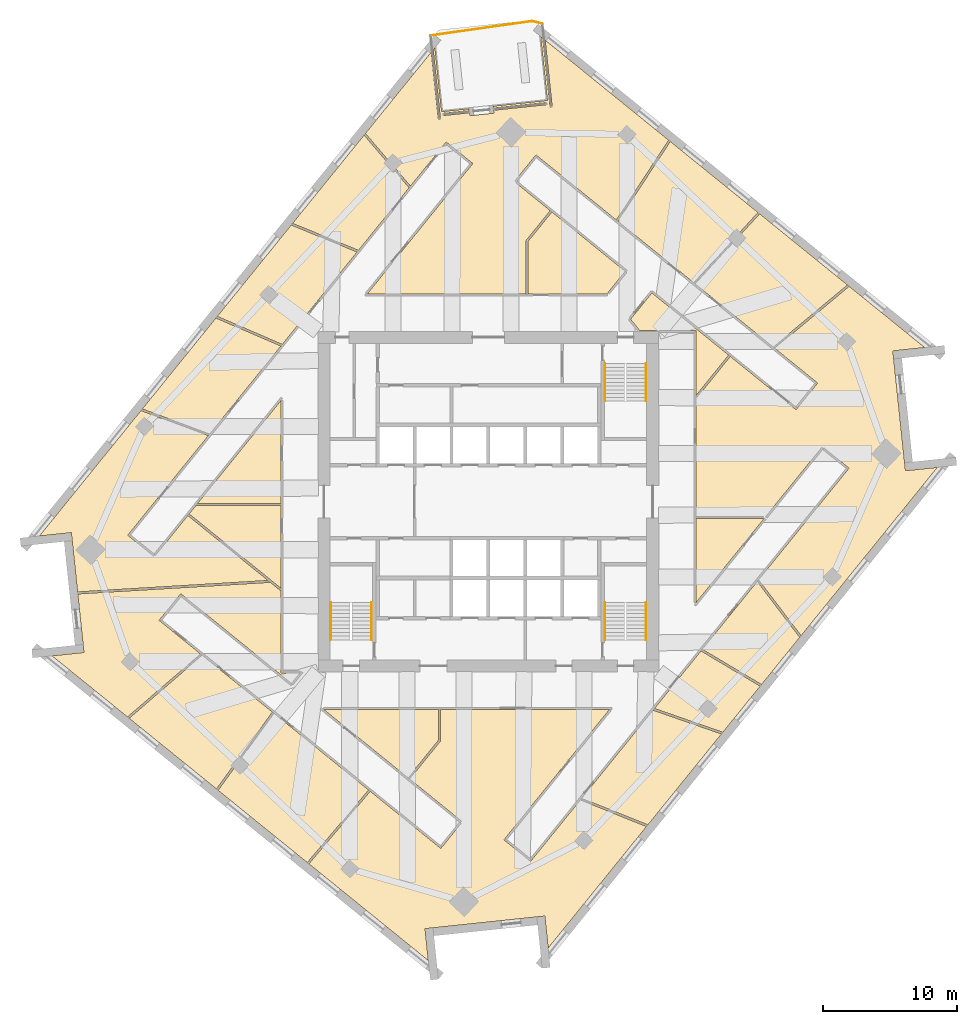
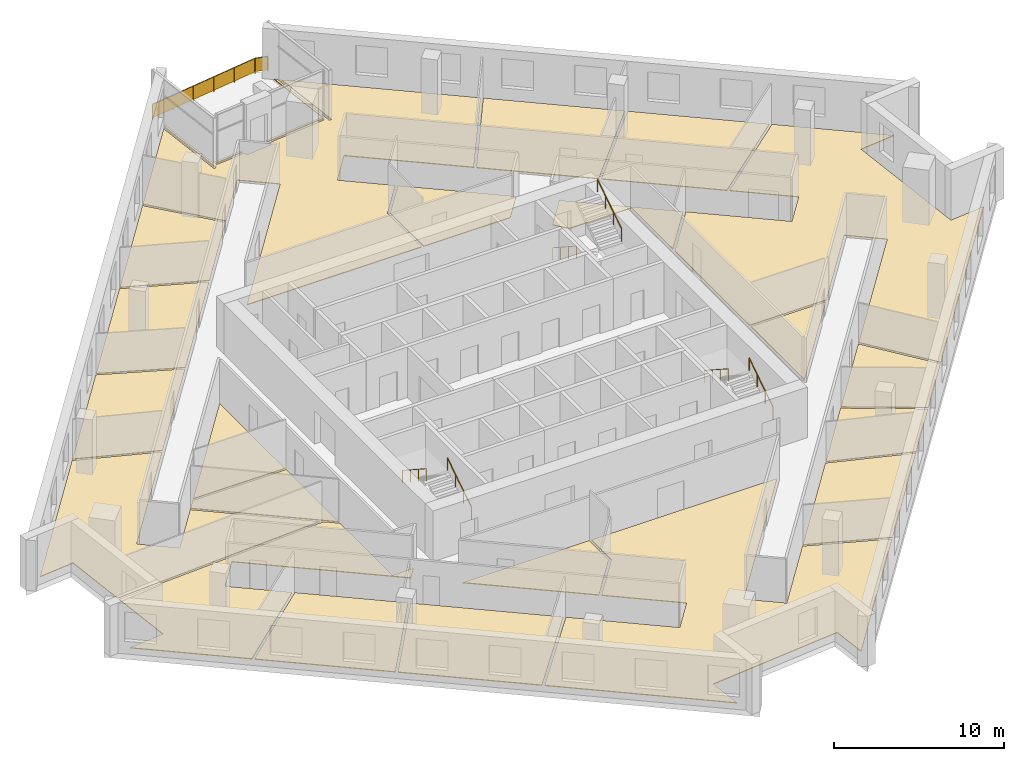
# One storey, part 13 of 14: 21 coverings, 7 railings.
"""IFC4 building model written with IfcOpenShell, lengths in metres."""

from ifc_helpers import new_model, si_unit, direction, frame, origin, origin_2d, place, context, subcontext, project, spatial, polyline, rectangle, circle, outline, extrude, material, layer, layer_set, type_object, element, save


model = new_model("IFC4")

# Units and contexts
model_context = context("Model", 3, precision=1e-05, world=origin(), true_north=direction((0.0, 1.0)))
body_context = subcontext(model_context, "Body", "Model", "MODEL_VIEW")
ifc_project = project(units=[si_unit("LENGTHUNIT", "METRE"), si_unit("AREAUNIT", "SQUARE_METRE"), si_unit("VOLUMEUNIT", "CUBIC_METRE"), si_unit("PLANEANGLEUNIT", "RADIAN"), si_unit("MASSUNIT", "GRAM", prefix="KILO")], contexts=[model_context])

# Site, building, storey
site_placement = place(None, origin())
site = spatial("IfcSite", under=ifc_project, at=site_placement, CompositionType="ELEMENT")
building_placement = place(site_placement, origin())
building = spatial("IfcBuilding", under=site, at=building_placement, Name="Dilmun Exchange Tower", CompositionType="ELEMENT")
storey_placement = place(building_placement, frame((0.0, 0.0, 225.300048828125)))
storey = spatial("IfcBuildingStorey", under=building, at=storey_placement, Name="L53", CompositionType="ELEMENT", Elevation=225.300048828125)

# Coverings
ifc_material_1 = material(Name="Carpet floor finish 50")
ifc_layer_1 = layer(ifc_material_1, 0.050048828125)
ifc_layer_set_1 = layer_set([ifc_layer_1], Name="Carpet floor finish 50")
covering_type_1 = type_object("IfcCoveringType", Name="Carpet floor finish 50", PredefinedType="FLOORING", material=ifc_layer_set_1)
covering_1_placement = place(storey_placement, origin())
element("IfcCovering", 1, at=covering_1_placement, inside=storey, type_object=covering_type_1, Name="Carpet floor finish 50 Business centre 1", PredefinedType="FLOORING", context=body_context, shape_type="SweptSolid", body=[
    extrude(outline(polyline([(-22.40185546875, -1.026611328125), (-16.419189453125, -5.871337890625), (-30.6181640625, -6.72509765625), (-31.01953125, -2.905029296875), (-31.01953125, -2.90478515625), (-31.01953125, -2.90478515625), (-31.08251953125, -2.30810546875), (-31.08251953125, -2.307861328125), (-31.08251953125, -2.3076171875), (-31.08251953125, -2.3076171875), (-31.08251953125, -2.307373046875), (-31.082763671875, -2.30712890625), (-31.082763671875, -2.306884765625), (-31.0830078125, -2.306884765625), (-31.0830078125, -2.306640625), (-31.083251953125, -2.306640625), (-31.08349609375, -2.306396484375), (-31.08349609375, -2.306396484375), (-31.083740234375, -2.306396484375), (-31.083984375, -2.306396484375), (-31.084228515625, -2.306396484375), (-31.08447265625, -2.30615234375), (-31.084716796875, -2.306396484375), (-33.464599609375, -2.556396484375), (-25.89453125, 6.791748046875), (-20.8671875, 4.920654296875), (-26.87451171875, -2.497802734375), (-24.892822265625, -4.102783203125), (-22.40185546875, -1.026611328125)])), origin(), (0.0, 0.0, 1.0), 0.050048828125),
])
covering_2_placement = place(storey_placement, origin())
element("IfcCovering", 2, at=covering_2_placement, inside=storey, type_object=covering_type_1, Name="Carpet floor finish 50 Club dining room", PredefinedType="FLOORING", context=body_context, shape_type="SweptSolid", body=[
    extrude(outline(polyline([(-16.24658203125, -6.01123046875), (-15.47509765625, -6.635986328125), (-15.47509765625, -12.774658203125), (-14.048095703125, -12.77490234375), (-14.674072265625, -13.548095703125), (-22.93310546875, -6.860107421875), (-24.53759765625, -8.841796875), (-21.4453125, -11.34619140625), (-26.896240234375, -16.048095703125), (-32.525634765625, -11.489501953125), (-30.1455078125, -11.2392578125), (-30.1455078125, -11.2392578125), (-30.145263671875, -11.2392578125), (-30.14501953125, -11.239013671875), (-30.14501953125, -11.239013671875), (-30.144775390625, -11.239013671875), (-30.14453125, -11.23876953125), (-30.144287109375, -11.23876953125), (-30.144287109375, -11.238525390625), (-30.144287109375, -11.23828125), (-30.14404296875, -11.23828125), (-30.14404296875, -11.238037109375), (-30.143798828125, -11.23779296875), (-30.143798828125, -11.237548828125), (-30.143798828125, -11.2373046875), (-30.143798828125, -11.2373046875), (-30.143798828125, -11.237060546875), (-30.20654296875, -10.640625), (-30.20654296875, -10.640380859375), (-30.20654296875, -10.640380859375), (-30.602294921875, -6.87451171875), (-16.24658203125, -6.01123046875)])), origin(), (0.0, 0.0, 1.0), 0.050048828125),
])
covering_3_placement = place(storey_placement, origin())
element("IfcCovering", 3, at=covering_3_placement, inside=storey, type_object=covering_type_1, Name="Carpet floor finish 50 Serviced office 1", PredefinedType="FLOORING", context=body_context, shape_type="SweptSolid", body=[
    extrude(outline(polyline([(-20.2666015625, -21.41650390625), (-26.77783203125, -16.143798828125), (-21.32666015625, -11.44189453125), (-16.093505859375, -15.679931640625), (-20.2666015625, -21.41650390625)])), origin(), (0.0, 0.0, 1.0), 0.050048828125),
])
covering_4_placement = place(storey_placement, origin())
element("IfcCovering", 4, at=covering_4_placement, inside=storey, type_object=covering_type_1, Name="Carpet floor finish 50 Serviced office 2", PredefinedType="FLOORING", context=body_context, shape_type="SweptSolid", body=[
    extrude(outline(polyline([(-20.767578125, 5.043701171875), (-25.794921875, 6.914794921875), (-20.307861328125, 13.69091796875), (-15.459228515625, 11.5986328125), (-20.767578125, 5.043701171875)])), origin(), (0.0, 0.0, 1.0), 0.050048828125),
])
covering_5_placement = place(storey_placement, origin())
element("IfcCovering", 5, at=covering_5_placement, inside=storey, type_object=covering_type_1, Name="Carpet floor finish 50 Serviced office 3", PredefinedType="FLOORING", context=body_context, shape_type="SweptSolid", body=[
    extrude(outline(polyline([(-15.47509765625, -6.443115234375), (-22.3076171875, -0.91015625), (-21.80615234375, -0.291015625), (-15.47509765625, -0.291015625), (-15.47509765625, -6.443115234375)])), origin(), (0.0, 0.0, 1.0), 0.050048828125),
])
covering_6_placement = place(storey_placement, origin())
element("IfcCovering", 6, at=covering_6_placement, inside=storey, type_object=covering_type_1, Name="Carpet floor finish 50 Serviced office 4", PredefinedType="FLOORING", context=body_context, shape_type="SweptSolid", body=[
    extrude(outline(polyline([(-15.361328125, 11.7197265625), (-20.209716796875, 13.811767578125), (-14.694091796875, 20.623046875), (-9.782470703125, 18.60888671875), (-15.361328125, 11.7197265625)])), origin(), (0.0, 0.0, 1.0), 0.050048828125),
])
covering_7_placement = place(storey_placement, origin())
element("IfcCovering", 7, at=covering_7_placement, inside=storey, type_object=covering_type_1, Name="Carpet floor finish 50 Meeting room 1", PredefinedType="FLOORING", context=body_context, shape_type="SweptSolid", body=[
    extrude(outline(polyline([(-15.976806640625, -15.7744140625), (-8.922607421875, -21.486572265625), (-13.497802734375, -26.897705078125), (-20.14990234375, -21.510986328125), (-15.976806640625, -15.7744140625)])), origin(), (0.0, 0.0, 1.0), 0.050048828125),
])
covering_8_placement = place(storey_placement, origin())
element("IfcCovering", 8, at=covering_8_placement, inside=storey, type_object=covering_type_1, Name="Carpet floor finish 50 Serviced office 5", PredefinedType="FLOORING", context=body_context, shape_type="SweptSolid", body=[
    extrude(outline(polyline([(-3.705810546875, -17.7626953125), (-5.98828125, -20.58154296875), (-12.29443359375, -15.47509765625), (-3.705810546875, -15.47509765625), (-3.705810546875, -17.7626953125)])), origin(), (0.0, 0.0, 1.0), 0.050048828125),
])
covering_9_placement = place(storey_placement, origin())
element("IfcCovering", 9, at=covering_9_placement, inside=storey, type_object=covering_type_1, Name="Carpet floor finish 50 Members lounge", PredefinedType="FLOORING", context=body_context, shape_type="SweptSolid", body=[
    extrude(outline(polyline([(-3.5556640625, -15.47509765625), (9.0390625, -15.47509765625), (1.16259765625, -25.201904296875), (3.144287109375, -26.806640625), (6.8515625, -22.228271484375), (11.7890625, -24.21044921875), (4.45703125, -33.264892578125), (4.206787109375, -30.884765625), (4.206787109375, -30.884521484375), (4.206787109375, -30.884521484375), (4.206787109375, -30.88427734375), (4.206787109375, -30.884033203125), (4.20654296875, -30.8837890625), (4.20654296875, -30.8837890625), (4.206298828125, -30.883544921875), (4.206298828125, -30.883544921875), (4.2060546875, -30.88330078125), (4.205810546875, -30.88330078125), (4.205810546875, -30.88330078125), (4.20556640625, -30.883056640625), (4.205322265625, -30.883056640625), (4.205078125, -30.883056640625), (4.204833984375, -30.883056640625), (4.20458984375, -30.883056640625), (3.60791015625, -30.94580078125), (-4.127685546875, -31.7587890625), (-4.724365234375, -31.821533203125), (-4.724609375, -31.821533203125), (-4.724609375, -31.821533203125), (-4.724853515625, -31.821533203125), (-4.72509765625, -31.82177734375), (-4.72509765625, -31.82177734375), (-4.725341796875, -31.822021484375), (-4.7255859375, -31.822021484375), (-4.7255859375, -31.822265625), (-4.7255859375, -31.822509765625), (-4.725830078125, -31.822509765625), (-4.725830078125, -31.82275390625), (-4.72607421875, -31.822998046875), (-4.72607421875, -31.822998046875), (-4.72607421875, -31.8232421875), (-4.72607421875, -31.823486328125), (-4.72607421875, -31.82373046875), (-4.475830078125, -34.20361328125), (-13.38134765625, -26.9921875), (-8.80615234375, -21.5810546875), (-3.546630859375, -25.840087890625), (-1.94189453125, -23.8583984375), (-5.87158203125, -20.676025390625), (-3.5556640625, -17.81591796875), (-3.5556640625, -15.47509765625)])), origin(), (0.0, 0.0, 1.0), 0.050048828125),
])
covering_10_placement = place(storey_placement, origin())
element("IfcCovering", 10, at=covering_10_placement, inside=storey, type_object=covering_type_1, Name="Carpet floor finish 50 Garden lounge", PredefinedType="FLOORING", context=body_context, shape_type="SweptSolid", body=[
    extrude(outline(polyline([(-3.48681640625, 29.0751953125), (-1.43603515625, 29.290771484375), (-1.421142578125, 29.1484375), (-3.397216796875, 28.94091796875), (-3.3974609375, 28.940673828125), (-3.397705078125, 28.940673828125), (-3.397705078125, 28.940673828125), (-3.39794921875, 28.9404296875), (-3.398193359375, 28.9404296875), (-3.398193359375, 28.940185546875), (-3.3984375, 28.940185546875), (-3.398681640625, 28.93994140625), (-3.398681640625, 28.93994140625), (-3.398681640625, 28.939697265625), (-3.39892578125, 28.939453125), (-3.39892578125, 28.939208984375), (-3.39892578125, 28.939208984375), (-3.399169921875, 28.93896484375), (-3.399169921875, 28.938720703125), (-3.399169921875, 28.938720703125), (-3.38232421875, 28.779296875), (-3.38232421875, 28.779296875), (-3.382080078125, 28.779052734375), (-3.382080078125, 28.77880859375), (-3.382080078125, 28.77880859375), (-3.382080078125, 28.778564453125), (-3.3818359375, 28.7783203125), (-3.381591796875, 28.7783203125), (-3.381591796875, 28.778076171875), (-3.38134765625, 28.778076171875), (-3.38134765625, 28.77783203125), (-3.381103515625, 28.77783203125), (-3.380859375, 28.777587890625), (-3.380615234375, 28.777587890625), (-3.380615234375, 28.777587890625), (-3.38037109375, 28.777587890625), (-3.380126953125, 28.777587890625), (-1.40380859375, 28.9853515625), (-1.381103515625, 28.7685546875), (-1.381103515625, 28.768310546875), (-1.381103515625, 28.768310546875), (-1.381103515625, 28.76806640625), (-1.380859375, 28.767822265625), (-1.380859375, 28.767578125), (-1.380615234375, 28.767578125), (-1.380615234375, 28.767333984375), (-1.38037109375, 28.76708984375), (-1.380126953125, 28.76708984375), (-1.380126953125, 28.76708984375), (-1.3798828125, 28.766845703125), (-1.379638671875, 28.766845703125), (-1.37939453125, 28.766845703125), (-1.37939453125, 28.766845703125), (-1.379150390625, 28.7666015625), (-1.37890625, 28.766845703125), (0.4111328125, 28.955078125), (0.411376953125, 28.955078125), (0.41162109375, 28.955078125), (0.41162109375, 28.955078125), (0.411865234375, 28.955078125), (0.412109375, 28.955322265625), (0.412109375, 28.955322265625), (0.412353515625, 28.95556640625), (0.41259765625, 28.955810546875), (0.41259765625, 28.955810546875), (0.41259765625, 28.9560546875), (0.412841796875, 28.956298828125), (0.412841796875, 28.956298828125), (0.412841796875, 28.95654296875), (0.4130859375, 28.956787109375), (0.4130859375, 28.95703125), (0.4130859375, 28.957275390625), (0.39013671875, 29.174072265625), (4.35546875, 29.5908203125), (4.355712890625, 29.5908203125), (4.355712890625, 29.5908203125), (4.35595703125, 29.5908203125), (4.356201171875, 29.591064453125), (4.356201171875, 29.591064453125), (4.3564453125, 29.59130859375), (4.356689453125, 29.59130859375), (4.356689453125, 29.591552734375), (4.356689453125, 29.591552734375), (4.35693359375, 29.591796875), (4.35693359375, 29.592041015625), (4.357177734375, 29.59228515625), (4.357177734375, 29.59228515625), (4.357177734375, 29.592529296875), (4.357177734375, 29.5927734375), (4.357177734375, 29.593017578125), (4.34033203125, 29.752197265625), (4.34033203125, 29.752197265625), (4.34033203125, 29.75244140625), (4.34033203125, 29.752685546875), (4.340087890625, 29.752685546875), (4.340087890625, 29.7529296875), (4.340087890625, 29.753173828125), (4.33984375, 29.75341796875), (4.339599609375, 29.75341796875), (4.339599609375, 29.75341796875), (4.33935546875, 29.753662109375), (4.339111328125, 29.753662109375), (4.339111328125, 29.75390625), (4.3388671875, 29.75390625), (4.338623046875, 29.75390625), (4.33837890625, 29.75390625), (4.338134765625, 29.75390625), (0.373046875, 29.337158203125), (0.358154296875, 29.479248046875), (4.39794921875, 29.90380859375), (3.896728515625, 34.672607421875), (4.0537109375, 34.54541015625), (4.594970703125, 29.396728515625), (4.59521484375, 29.396484375), (4.59521484375, 29.396240234375), (4.59521484375, 29.396240234375), (4.59521484375, 29.39599609375), (4.595458984375, 29.395751953125), (4.595458984375, 29.395751953125), (4.595703125, 29.3955078125), (4.595703125, 29.3955078125), (4.595947265625, 29.395263671875), (4.59619140625, 29.395263671875), (4.59619140625, 29.39501953125), (4.596435546875, 29.39501953125), (4.5966796875, 29.39501953125), (4.596923828125, 29.39501953125), (4.59716796875, 29.39501953125), (4.59716796875, 29.39501953125), (4.75634765625, 29.41162109375), (4.756591796875, 29.41162109375), (4.7568359375, 29.411865234375), (4.7568359375, 29.411865234375), (4.757080078125, 29.411865234375), (4.75732421875, 29.412109375), (4.75732421875, 29.412109375), (4.757568359375, 29.412353515625), (4.7578125, 29.412353515625), (4.7578125, 29.41259765625), (4.7578125, 29.41259765625), (4.758056640625, 29.412841796875), (4.758056640625, 29.4130859375), (4.758056640625, 29.413330078125), (4.75830078125, 29.41357421875), (4.75830078125, 29.413818359375), (4.75830078125, 29.413818359375), (4.234130859375, 34.3994140625), (13.43701171875, 26.947021484375), (9.533203125, 20.9921875), (3.546630859375, 25.840087890625), (1.94189453125, 23.8583984375), (4.615966796875, 21.69287109375), (2.7998046875, 19.4501953125), (2.7998046875, 15.47509765625), (-9.0390625, 15.47509765625), (-1.16259765625, 25.201904296875), (-3.144287109375, 26.806640625), (-5.808349609375, 23.5166015625), (-9.16943359375, 27.445556640625), (-4.26123046875, 33.506591796875), (-3.7373046875, 28.52099609375), (-3.7373046875, 28.520751953125), (-3.7373046875, 28.5205078125), (-3.737060546875, 28.5205078125), (-3.737060546875, 28.520263671875), (-3.73681640625, 28.52001953125), (-3.73681640625, 28.52001953125), (-3.73681640625, 28.519775390625), (-3.736572265625, 28.51953125), (-3.736328125, 28.51953125), (-3.736083984375, 28.519287109375), (-3.736083984375, 28.519287109375), (-3.73583984375, 28.519287109375), (-3.735595703125, 28.519287109375), (-3.7353515625, 28.51904296875), (-3.735107421875, 28.51904296875), (-3.735107421875, 28.51904296875), (-3.575927734375, 28.535888671875), (-3.57568359375, 28.535888671875), (-3.575439453125, 28.535888671875), (-3.575439453125, 28.535888671875), (-3.5751953125, 28.5361328125), (-3.574951171875, 28.5361328125), (-3.574951171875, 28.536376953125), (-3.57470703125, 28.53662109375), (-3.57470703125, 28.53662109375), (-3.574462890625, 28.536865234375), (-3.574462890625, 28.536865234375), (-3.57421875, 28.537109375), (-3.57421875, 28.537353515625), (-3.57421875, 28.53759765625), (-3.57421875, 28.53759765625), (-3.57421875, 28.537841796875), (-3.57421875, 28.5380859375), (-4.115478515625, 33.686767578125), (-3.988037109375, 33.843994140625), (-3.48681640625, 29.0751953125)])), origin(), (0.0, 0.0, 1.0), 0.050048828125),
])
covering_11_placement = place(storey_placement, origin())
element("IfcCovering", 11, at=covering_11_placement, inside=storey, type_object=covering_type_1, Name="Carpet floor finish 50 Meeting room 2", PredefinedType="FLOORING", context=body_context, shape_type="SweptSolid", body=[
    extrude(outline(polyline([(8.828369140625, 15.47509765625), (2.94970703125, 15.47509765625), (2.94970703125, 19.39697265625), (4.732421875, 21.598388671875), (10.200927734375, 17.170166015625), (8.828369140625, 15.47509765625)])), origin(), (0.0, 0.0, 1.0), 0.050048828125),
])
covering_12_placement = place(storey_placement, origin())
element("IfcCovering", 12, at=covering_12_placement, inside=storey, type_object=covering_type_1, Name="Carpet floor finish 50 Business centre 2", PredefinedType="FLOORING", context=body_context, shape_type="SweptSolid", body=[
    extrude(outline(polyline([(12.26904296875, -15.538330078125), (17.37548828125, -17.31201171875), (11.887939453125, -24.08837890625), (6.950439453125, -22.106201171875), (12.26904296875, -15.538330078125)])), origin(), (0.0, 0.0, 1.0), 0.050048828125),
])
covering_13_placement = place(storey_placement, origin())
element("IfcCovering", 13, at=covering_13_placement, inside=storey, type_object=covering_type_1, Name="Carpet floor finish 50 Members library 1", PredefinedType="FLOORING", context=body_context, shape_type="SweptSolid", body=[
    extrude(outline(polyline([(9.650390625, 20.897216796875), (13.55419921875, 26.852294921875), (20.097900390625, 21.552978515625), (15.302001953125, 16.32080078125), (9.650390625, 20.897216796875)])), origin(), (0.0, 0.0, 1.0), 0.050048828125),
])
covering_14_placement = place(storey_placement, origin())
element("IfcCovering", 14, at=covering_14_placement, inside=storey, type_object=covering_type_1, Name="Carpet floor finish 50 Serviced office 6", PredefinedType="FLOORING", context=body_context, shape_type="SweptSolid", body=[
    extrude(outline(polyline([(12.369384765625, -15.414306640625), (15.8466796875, -11.1201171875), (20.26123046875, -13.748291015625), (17.475830078125, -17.18798828125), (12.369384765625, -15.414306640625)])), origin(), (0.0, 0.0, 1.0), 0.050048828125),
])
covering_15_placement = place(storey_placement, origin())
element("IfcCovering", 15, at=covering_15_placement, inside=storey, type_object=covering_type_1, Name="Carpet floor finish 50 Members library 2", PredefinedType="FLOORING", context=body_context, shape_type="SweptSolid", body=[
    extrude(outline(polyline([(20.037109375, -5.945556640625), (23.20751953125, -10.110107421875), (20.356689453125, -13.63037109375), (15.942138671875, -11.00244140625), (20.037109375, -5.945556640625)])), origin(), (0.0, 0.0, 1.0), 0.050048828125),
])
covering_16_placement = place(storey_placement, origin())
element("IfcCovering", 16, at=covering_16_placement, inside=storey, type_object=covering_type_1, Name="Carpet floor finish 50 Serviced office 7", PredefinedType="FLOORING", context=body_context, shape_type="SweptSolid", body=[
    extrude(outline(polyline([(15.418701171875, 16.226318359375), (20.21484375, 21.45849609375), (26.769287109375, 16.15087890625), (21.2197265625, 11.528564453125), (15.418701171875, 16.226318359375)])), origin(), (0.0, 0.0, 1.0), 0.050048828125),
])
covering_17_placement = place(storey_placement, origin())
element("IfcCovering", 17, at=covering_17_placement, inside=storey, type_object=covering_type_1, Name="Carpet floor finish 50 Co-working hall", PredefinedType="FLOORING", context=body_context, shape_type="SweptSolid", body=[
    extrude(outline(polyline([(22.93310546875, 6.85986328125), (24.537841796875, 8.841552734375), (21.338623046875, 11.432373046875), (26.88818359375, 16.054443359375), (32.525634765625, 11.489501953125), (30.1455078125, 11.2392578125), (30.1455078125, 11.2392578125), (30.145263671875, 11.2392578125), (30.14501953125, 11.239013671875), (30.14501953125, 11.239013671875), (30.144775390625, 11.239013671875), (30.14453125, 11.23876953125), (30.144287109375, 11.23876953125), (30.144287109375, 11.238525390625), (30.144287109375, 11.23828125), (30.14404296875, 11.23828125), (30.14404296875, 11.238037109375), (30.143798828125, 11.23779296875), (30.143798828125, 11.237548828125), (30.143798828125, 11.2373046875), (30.143798828125, 11.2373046875), (30.143798828125, 11.237060546875), (30.20654296875, 10.640625), (30.20654296875, 10.640380859375), (30.20654296875, 10.640380859375), (31.01953125, 2.905029296875), (31.01953125, 2.90478515625), (31.01953125, 2.90478515625), (31.08251953125, 2.30810546875), (31.08251953125, 2.307861328125), (31.08251953125, 2.3076171875), (31.08251953125, 2.3076171875), (31.08251953125, 2.307373046875), (31.082763671875, 2.30712890625), (31.082763671875, 2.306884765625), (31.0830078125, 2.306884765625), (31.0830078125, 2.306640625), (31.083251953125, 2.306640625), (31.08349609375, 2.306396484375), (31.08349609375, 2.306396484375), (31.083740234375, 2.306396484375), (31.083984375, 2.306396484375), (31.084228515625, 2.306396484375), (31.08447265625, 2.30615234375), (31.084716796875, 2.306396484375), (33.464599609375, 2.556396484375), (23.3046875, -9.989990234375), (20.13427734375, -5.82568359375), (26.87451171875, 2.497802734375), (24.892822265625, 4.102783203125), (20.684814453125, -1.09375), (15.47509765625, -1.09375), (15.47509765625, 7.67529296875), (18.030029296875, 10.830322265625), (22.93310546875, 6.85986328125)])), origin(), (0.0, 0.0, 1.0), 0.050048828125),
])

# Railings
ifc_material_2 = material(Name="Stainless steel", Category="steel")
railing_type_1 = type_object("IfcRailingType", Name="Stair handrail 900", PredefinedType="HANDRAIL", material=ifc_material_2)
railing_1_placement = place(storey_placement, frame((8.699951171875, 10.300048828125, 0.181884765625)))
element("IfcRailing", 18, at=railing_1_placement, inside=storey, type_object=railing_type_1, Name="L53 ST1 stair handrail 1", PredefinedType="HANDRAIL", context=body_context, shape_type="SweptSolid", body=[
    extrude(circle(Radius=0.02392578125, at=origin_2d()), frame((0.0, 0.0, 0.8759765625), z_axis=(0.0, -0.838705829183, 0.544584733623), x_axis=(1.0, 0.0, 0.0)), (0.0, 0.0, 1.0), 3.338623046875),
    extrude(circle(Radius=0.02099609375, at=origin_2d()), origin(), (0.0, 0.0, 1.0), 0.851806640625),
    extrude(circle(Radius=0.02099609375, at=origin_2d()), frame((0.0, -0.933349609375, 0.60595703125)), (0.0, 0.0, 1.0), 0.851806640625),
    extrude(circle(Radius=0.02099609375, at=origin_2d()), frame((0.0, -1.86669921875, 1.212158203125)), (0.0, 0.0, 1.0), 0.851806640625),
    extrude(circle(Radius=0.02099609375, at=origin_2d()), frame((0.0, -2.800048828125, 1.818115234375)), (0.0, 0.0, 1.0), 0.851806640625),
])
for number, where, name in (
    (19, (11.75, 7.5, 2.181884765625), "L53 ST1 stair handrail 2"),
    (20, (-8.699951171875, -10.300048828125, 0.181884765625), "L53 ST2 stair handrail 1"),
):
    element("IfcRailing", number, at=place(storey_placement, frame(where)), inside=storey, type_object=railing_type_1, Name=name, PredefinedType="HANDRAIL", context=body_context, shape_type="SweptSolid", body=[
        extrude(circle(Radius=0.02392578125, at=origin_2d()), frame((0.0, 0.0, 0.8759765625), z_axis=(0.0, 0.838705829183, 0.544584733623), x_axis=(-1.0, 0.0, 0.0)), (0.0, 0.0, 1.0), 3.338623046875),
        extrude(circle(Radius=0.02099609375, at=origin_2d()), origin(), (0.0, 0.0, 1.0), 0.851806640625),
        extrude(circle(Radius=0.02099609375, at=origin_2d()), frame((0.0, 0.933349609375, 0.60595703125)), (0.0, 0.0, 1.0), 0.851806640625),
        extrude(circle(Radius=0.02099609375, at=origin_2d()), frame((0.0, 1.86669921875, 1.212158203125)), (0.0, 0.0, 1.0), 0.851806640625),
        extrude(circle(Radius=0.02099609375, at=origin_2d()), frame((0.0, 2.800048828125, 1.818115234375)), (0.0, 0.0, 1.0), 0.851806640625),
    ])
railing_2_placement = place(storey_placement, frame((-11.75, -7.5, 2.181884765625)))
element("IfcRailing", 21, at=railing_2_placement, inside=storey, type_object=railing_type_1, Name="L53 ST2 stair handrail 2", PredefinedType="HANDRAIL", context=body_context, shape_type="SweptSolid", body=[
    extrude(circle(Radius=0.02392578125, at=origin_2d()), frame((0.0, 0.0, 0.8759765625), z_axis=(0.0, -0.838705829183, 0.544584733623), x_axis=(1.0, 0.0, 0.0)), (0.0, 0.0, 1.0), 3.338623046875),
    extrude(circle(Radius=0.02099609375, at=origin_2d()), origin(), (0.0, 0.0, 1.0), 0.851806640625),
    extrude(circle(Radius=0.02099609375, at=origin_2d()), frame((0.0, -0.933349609375, 0.60595703125)), (0.0, 0.0, 1.0), 0.851806640625),
    extrude(circle(Radius=0.02099609375, at=origin_2d()), frame((0.0, -1.86669921875, 1.212158203125)), (0.0, 0.0, 1.0), 0.851806640625),
    extrude(circle(Radius=0.02099609375, at=origin_2d()), frame((0.0, -2.800048828125, 1.818115234375)), (0.0, 0.0, 1.0), 0.851806640625),
])
railing_3_placement = place(storey_placement, frame((11.75, -10.300048828125, 0.181884765625)))
element("IfcRailing", 22, at=railing_3_placement, inside=storey, type_object=railing_type_1, Name="L53 ST3 stair handrail 1", PredefinedType="HANDRAIL", context=body_context, shape_type="SweptSolid", body=[
    extrude(circle(Radius=0.02392578125, at=origin_2d()), frame((0.0, 0.0, 0.8759765625), z_axis=(0.0, 0.838705829183, 0.544584733623), x_axis=(-1.0, 0.0, 0.0)), (0.0, 0.0, 1.0), 3.338623046875),
    extrude(circle(Radius=0.02099609375, at=origin_2d()), origin(), (0.0, 0.0, 1.0), 0.851806640625),
    extrude(circle(Radius=0.02099609375, at=origin_2d()), frame((0.0, 0.933349609375, 0.60595703125)), (0.0, 0.0, 1.0), 0.851806640625),
    extrude(circle(Radius=0.02099609375, at=origin_2d()), frame((0.0, 1.86669921875, 1.212158203125)), (0.0, 0.0, 1.0), 0.851806640625),
    extrude(circle(Radius=0.02099609375, at=origin_2d()), frame((0.0, 2.800048828125, 1.818115234375)), (0.0, 0.0, 1.0), 0.851806640625),
])
railing_4_placement = place(storey_placement, frame((8.699951171875, -7.5, 2.181884765625)))
element("IfcRailing", 23, at=railing_4_placement, inside=storey, type_object=railing_type_1, Name="L53 ST3 stair handrail 2", PredefinedType="HANDRAIL", context=body_context, shape_type="SweptSolid", body=[
    extrude(circle(Radius=0.02392578125, at=origin_2d()), frame((0.0, 0.0, 0.8759765625), z_axis=(0.0, -0.838705829183, 0.544584733623), x_axis=(1.0, 0.0, 0.0)), (0.0, 0.0, 1.0), 3.338623046875),
    extrude(circle(Radius=0.02099609375, at=origin_2d()), origin(), (0.0, 0.0, 1.0), 0.851806640625),
    extrude(circle(Radius=0.02099609375, at=origin_2d()), frame((0.0, -0.933349609375, 0.60595703125)), (0.0, 0.0, 1.0), 0.851806640625),
    extrude(circle(Radius=0.02099609375, at=origin_2d()), frame((0.0, -1.86669921875, 1.212158203125)), (0.0, 0.0, 1.0), 0.851806640625),
    extrude(circle(Radius=0.02099609375, at=origin_2d()), frame((0.0, -2.800048828125, 1.818115234375)), (0.0, 0.0, 1.0), 0.851806640625),
])

# Covering
ifc_material_3 = material(Name="Stone floor finish 50", Category="masonry")
ifc_layer_2 = layer(ifc_material_3, 0.050048828125)
ifc_layer_set_2 = layer_set([ifc_layer_2], Name="Stone floor finish 50")
covering_type_2 = type_object("IfcCoveringType", Name="Stone floor finish 50", PredefinedType="FLOORING", material=ifc_layer_set_2)
covering_18_placement = place(storey_placement, origin())
element("IfcCovering", 24, at=covering_18_placement, inside=storey, type_object=covering_type_2, Name="Stone floor finish 50 Reception", PredefinedType="FLOORING", context=body_context, shape_type="SweptSolid", body=[
    extrude(outline(polyline([(-14.595703125, 20.744873046875), (-9.265380859375, 27.3271484375), (-5.904296875, 23.39794921875), (-9.68408203125, 18.730712890625), (-14.595703125, 20.744873046875)])), origin(), (0.0, 0.0, 1.0), 0.050048828125),
])

# Railing
railing_type_2 = type_object("IfcRailingType", Name="Terrace guard 1100 stainless steel", PredefinedType="GUARDRAIL", material=ifc_material_2)
railing_5_placement = place(storey_placement, frame((-4.30859375, 34.74169921875, 0.0)))
element("IfcRailing", 25, at=railing_5_placement, inside=storey, type_object=railing_type_2, Name="Terrace guard 1", PredefinedType="GUARDRAIL", context=body_context, shape_type="SweptSolid", body=[
    extrude(circle(Radius=0.02392578125, at=origin_2d()), frame((0.0, 0.0, 1.076171875), z_axis=(0.990097259315, 0.140383108307, 0.0), x_axis=(-0.140383108307, 0.990097259315, 0.0)), (0.0, 0.0, 1.0), 7.63818359375),
    extrude(rectangle(XDim=0.011962890625, YDim=0.951904296875, at=origin_2d()), frame((0.0, 0.0, 0.576171875), z_axis=(0.990097259315, 0.140383108307, 0.0), x_axis=(-0.140383108307, 0.990097259315, 0.0)), (0.0, 0.0, 1.0), 7.63818359375),
    extrude(circle(Radius=0.02392578125, at=origin_2d()), frame((7.5625, 1.072265625, 1.076171875), z_axis=(0.9689192778, -0.247377107082, 0.0), x_axis=(0.247377107082, 0.9689192778, 0.0)), (0.0, 0.0, 1.0), 0.79443359375),
    extrude(rectangle(XDim=0.011962890625, YDim=0.951904296875, at=origin_2d()), frame((7.5625, 1.072265625, 0.576171875), z_axis=(0.9689192778, -0.247377107082, 0.0), x_axis=(0.247377107082, 0.9689192778, 0.0)), (0.0, 0.0, 1.0), 0.79443359375),
    extrude(circle(Radius=0.02099609375, at=origin_2d()), origin(), (0.0, 0.0, 1.0), 1.052001953125),
    extrude(circle(Radius=0.02099609375, at=origin_2d()), frame((1.512451171875, 0.21435546875, 0.0)), (0.0, 0.0, 1.0), 1.052001953125),
    extrude(circle(Radius=0.02099609375, at=origin_2d()), frame((3.02490234375, 0.428955078125, 0.0)), (0.0, 0.0, 1.0), 1.052001953125),
    extrude(circle(Radius=0.02099609375, at=origin_2d()), frame((4.53759765625, 0.643310546875, 0.0)), (0.0, 0.0, 1.0), 1.052001953125),
    extrude(circle(Radius=0.02099609375, at=origin_2d()), frame((6.050048828125, 0.85791015625, 0.0)), (0.0, 0.0, 1.0), 1.052001953125),
    extrude(circle(Radius=0.02099609375, at=origin_2d()), frame((7.5625, 1.072265625, 0.0)), (0.0, 0.0, 1.0), 1.052001953125),
    extrude(circle(Radius=0.02099609375, at=origin_2d()), frame((8.332275390625, 0.875732421875, 0.0)), (0.0, 0.0, 1.0), 1.052001953125),
])

# Coverings
ifc_material_4 = material(Name="Tile floor finish 50")
ifc_layer_3 = layer(ifc_material_4, 0.050048828125)
ifc_layer_set_3 = layer_set([ifc_layer_3], Name="Tile floor finish 50")
covering_type_3 = type_object("IfcCoveringType", Name="Tile floor finish 50", PredefinedType="FLOORING", material=ifc_layer_set_3)
covering_19_placement = place(storey_placement, origin())
element("IfcCovering", 26, at=covering_19_placement, inside=storey, type_object=covering_type_3, Name="Tile floor finish 50 Pantry 1", PredefinedType="FLOORING", context=body_context, shape_type="SweptSolid", body=[
    extrude(outline(polyline([(-15.47509765625, 7.52734375), (-15.47509765625, -0.140869140625), (-21.684814453125, -0.140869140625), (-15.47509765625, 7.52734375)])), origin(), (0.0, 0.0, 1.0), 0.050048828125),
])
covering_20_placement = place(storey_placement, origin())
element("IfcCovering", 27, at=covering_20_placement, inside=storey, type_object=covering_type_3, Name="Tile floor finish 50 Pantry 2", PredefinedType="FLOORING", context=body_context, shape_type="SweptSolid", body=[
    extrude(outline(polyline([(10.59130859375, 13.60009765625), (12.182861328125, 15.5654296875), (17.913330078125, 10.9248046875), (15.47509765625, 7.913818359375), (15.47509765625, 12.77490234375), (11.2607421875, 12.77490234375), (10.59130859375, 13.60009765625)])), origin(), (0.0, 0.0, 1.0), 0.050048828125),
])
covering_21_placement = place(storey_placement, origin())
element("IfcCovering", 28, at=covering_21_placement, inside=storey, type_object=covering_type_3, Name="Tile floor finish 50 Pantry 3", PredefinedType="FLOORING", context=body_context, shape_type="SweptSolid", body=[
    extrude(outline(polyline([(20.528564453125, -1.286865234375), (15.47509765625, -7.52734375), (15.47509765625, -1.243896484375), (20.475341796875, -1.243896484375), (20.528564453125, -1.286865234375)])), origin(), (0.0, 0.0, 1.0), 0.050048828125),
])

save(model, "model.ifc")
